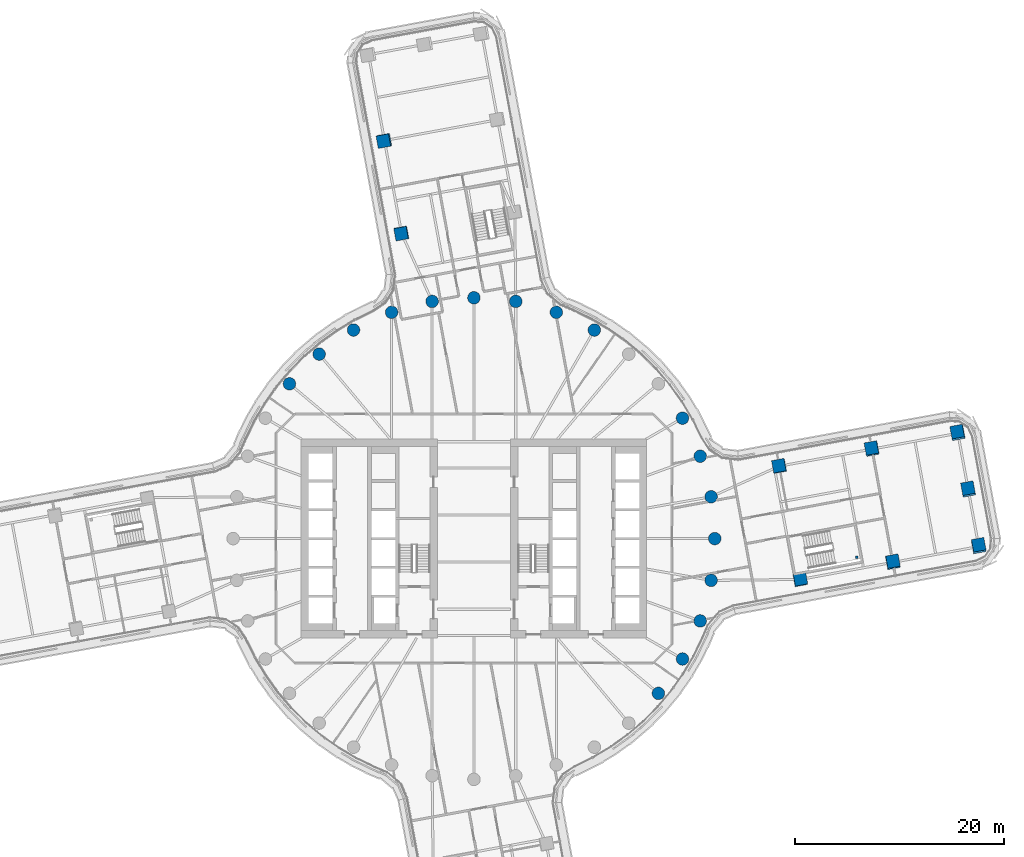
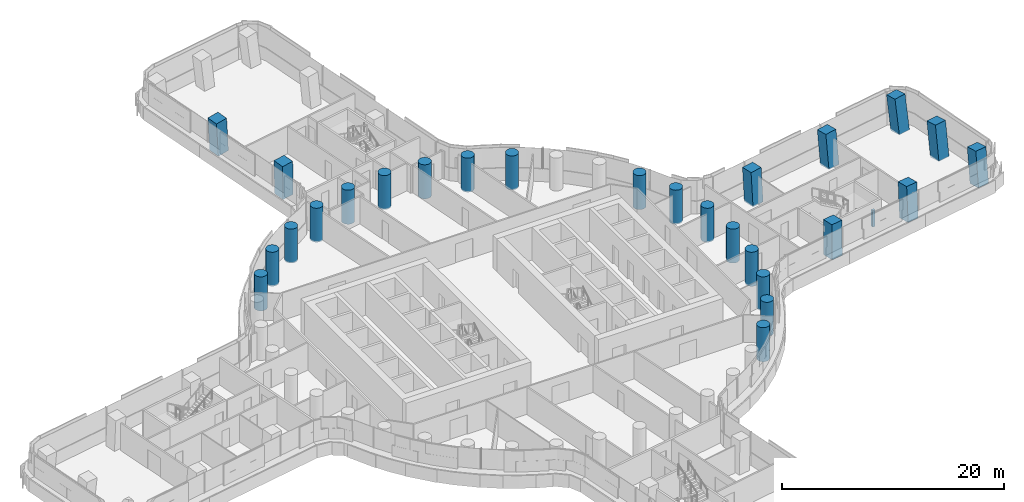
# One storey, part 2 of 33: 27 columns.
"""IFC4 building model written with IfcOpenShell, lengths in metres."""

from ifc_helpers import new_model, si_unit, direction, frame, origin, origin_2d, place, context, subcontext, project, spatial, rectangle, circle, extrude, material, material_profile, profile_set, type_object, element, save


model = new_model("IFC4")

# Units and contexts
model_context = context("Model", 3, precision=1e-05, world=origin(), true_north=direction((0.0, 1.0)))
body_context = subcontext(model_context, "Body", "Model", "MODEL_VIEW")
ifc_project = project(units=[si_unit("LENGTHUNIT", "METRE"), si_unit("AREAUNIT", "SQUARE_METRE"), si_unit("VOLUMEUNIT", "CUBIC_METRE"), si_unit("PLANEANGLEUNIT", "RADIAN"), si_unit("MASSUNIT", "GRAM", prefix="KILO")], contexts=[model_context])

# Site, building, storey
site_placement = place(None, origin())
site = spatial("IfcSite", under=ifc_project, at=site_placement, CompositionType="ELEMENT")
building_placement = place(site_placement, origin())
building = spatial("IfcBuilding", under=site, at=building_placement, Name="Tamarind Cross Interchange Tower", CompositionType="ELEMENT")
storey_placement = place(building_placement, frame((0.0, 0.0, 71.5)))
storey = spatial("IfcBuildingStorey", under=building, at=storey_placement, Name="L16", CompositionType="ELEMENT", Elevation=71.5)

# Columns
ifc_material_1 = material(Name="Concrete C70", Category="concrete")
ifc_material_profile_1 = material_profile(ifc_material_1, rectangle(XDim=1.199951171875, YDim=1.199951171875, at=origin_2d()), Name="RC 1200x1200")
ifc_profile_set_1 = profile_set([ifc_material_profile_1], Name="Concrete C70")
column_type_1 = type_object("IfcColumnType", Name="Column RC 1200x1200 Concrete C70", PredefinedType="COLUMN", material=ifc_profile_set_1)
column_1_placement = place(storey_placement, frame((38.015625, 8.546142578125, -0.138427734375), z_axis=(-0.042059833465, 0.077174601835, 0.996130037315), x_axis=(0.179297504528, -0.98024372476, 0.083514339719)))
element("IfcColumn", 1, at=column_1_placement, inside=storey, type_object=column_type_1, Name="Column L16-036", PredefinedType="COLUMN", context=body_context, shape_type="SweptSolid", body=[
    extrude(rectangle(XDim=1.199951171875, YDim=1.199951171875, at=origin_2d()), origin(), (0.0, 0.0, 1.0), 3.761474609375),
])
column_2_placement = place(storey_placement, frame((40.010498046875, -2.271484375, -0.138427734375), z_axis=(0.010255926868, 0.087370111162, 0.996123124739), x_axis=(-0.98337843556, -0.179712819987, 0.025887348398)))
element("IfcColumn", 2, at=column_2_placement, inside=storey, type_object=column_type_1, Name="Column L16-037", PredefinedType="COLUMN", context=body_context, shape_type="SweptSolid", body=[
    extrude(rectangle(XDim=1.199951171875, YDim=1.199951171875, at=origin_2d()), origin(), (0.0, 0.0, 1.0), 3.76123046875),
])
for number, where, z_axis, x_axis, name in (
    (3, (29.1650390625, 6.9140625, -0.138671875), (-0.033903859141, 0.034489530412, 0.998829815648), (0.180809351928, -0.982701571274, 0.040069939744), "Column L16-038"),
    (4, (31.159912109375, -3.903564453125, -0.138671875), (0.01854627734, 0.04464121493, 0.998830915384), (-0.983177023268, -0.180746979451, 0.026333824975), "Column L16-039"),
):
    element("IfcColumn", number, at=place(storey_placement, frame(where, z_axis=z_axis, x_axis=x_axis)), inside=storey, type_object=column_type_1, Name=name, PredefinedType="COLUMN", context=body_context, shape_type="SweptSolid", body=[
        extrude(rectangle(XDim=1.199951171875, YDim=1.199951171875, at=origin_2d()), origin(), (0.0, 0.0, 1.0), 3.751708984375),
    ])
column_3_placement = place(storey_placement, frame((48.21435546875, -0.758544921875, -0.138671875), z_axis=(-0.001163559702, 0.125729090029, 0.992063930424), x_axis=(-0.983395866032, -0.18017355573, 0.021680878368)))
element("IfcColumn", 5, at=column_3_placement, inside=storey, type_object=column_type_1, Name="Column L16-040", PredefinedType="COLUMN", context=body_context, shape_type="SweptSolid", body=[
    extrude(rectangle(XDim=1.199951171875, YDim=1.199951171875, at=origin_2d()), origin(), (0.0, 0.0, 1.0), 3.77685546875),
])
column_4_placement = place(storey_placement, frame((47.217041015625, 4.650146484375, -0.138671875), z_axis=(-0.027219471655, 0.120709628458, 0.992314610373), x_axis=(0.179893711362, -0.975884236543, 0.123645499225)))
element("IfcColumn", 6, at=column_4_placement, inside=storey, type_object=column_type_1, Name="Column L16-041", PredefinedType="COLUMN", context=body_context, shape_type="SweptSolid", body=[
    extrude(rectangle(XDim=1.199951171875, YDim=1.199951171875, at=origin_2d()), origin(), (0.0, 0.0, 1.0), 3.776123046875),
])
column_5_placement = place(storey_placement, frame((46.219482421875, 10.05908203125, -0.138427734375), z_axis=(-0.053190034376, 0.115622079585, 0.99186811369), x_axis=(0.177830515493, -0.976300483641, 0.123343720563)))
element("IfcColumn", 7, at=column_5_placement, inside=storey, type_object=column_type_1, Name="Column L16-042", PredefinedType="COLUMN", context=body_context, shape_type="SweptSolid", body=[
    extrude(rectangle(XDim=1.199951171875, YDim=1.199951171875, at=origin_2d()), origin(), (0.0, 0.0, 1.0), 3.777587890625),
])
column_6_placement = place(storey_placement, frame((-8.546142578125, 38.015625, -0.138427734375), z_axis=(-0.077174601835, -0.042059833465, 0.996130037315), x_axis=(0.98024372476, 0.179297504528, 0.083514339719)))
element("IfcColumn", 8, at=column_6_placement, inside=storey, type_object=column_type_1, Name="Column L16-043", PredefinedType="COLUMN", context=body_context, shape_type="SweptSolid", body=[
    extrude(rectangle(XDim=1.199951171875, YDim=1.199951171875, at=origin_2d()), origin(), (0.0, 0.0, 1.0), 3.761474609375),
])
column_7_placement = place(storey_placement, frame((-6.9140625, 29.1650390625, -0.138671875), z_axis=(-0.034489530412, -0.033903859141, 0.998829815648), x_axis=(0.982701571274, 0.180809351928, 0.040069939744)))
element("IfcColumn", 9, at=column_7_placement, inside=storey, type_object=column_type_1, Name="Column L16-045", PredefinedType="COLUMN", context=body_context, shape_type="SweptSolid", body=[
    extrude(rectangle(XDim=1.199951171875, YDim=1.199951171875, at=origin_2d()), origin(), (0.0, 0.0, 1.0), 3.751708984375),
])
ifc_material_2 = material(Name="Concrete C40", Category="concrete")
ifc_material_profile_2 = material_profile(ifc_material_2, rectangle(XDim=0.25, YDim=0.25, at=origin_2d()), Name="RC 250x250")
ifc_profile_set_2 = profile_set([ifc_material_profile_2], Name="Concrete C40")
column_type_2 = type_object("IfcColumnType", Name="Column RC 250x250 Concrete C40", PredefinedType="COLUMN", material=ifc_profile_set_2)
column_8_placement = place(storey_placement, frame((36.565673828125, -1.788330078125, -0.139892578125), z_axis=(0.0, 0.0, 1.0), x_axis=(1.0, 0.0, 0.0)))
element("IfcColumn", 10, at=column_8_placement, inside=storey, type_object=column_type_2, Name="Column ST3 landing L16", PredefinedType="COLUMN", context=body_context, shape_type="SweptSolid", body=[
    extrude(rectangle(XDim=0.25, YDim=0.25, at=origin_2d()), origin(), (0.0, 0.0, 1.0), 1.81494140625),
])
ifc_material_profile_3 = material_profile(ifc_material_1, circle(Radius=0.60009765625, at=origin_2d()), Name="RC D1200")
ifc_profile_set_3 = profile_set([ifc_material_profile_3], Name="Concrete C70")
column_type_3 = type_object("IfcColumnType", Name="Column RC D1200 Concrete C70", PredefinedType="COLUMN", material=ifc_profile_set_3)
for number, where, z_axis, x_axis, name in (
    (11, (23.0, 0.0, -0.139892578125), (0.0, 0.0, 1.0), (1.0, 0.0, 0.0), "Column L16-000"),
    (12, (22.650634765625, 3.993896484375, -0.139892578125), (0.0, 0.0, 1.0), (1.0, 0.0, 0.0), "Column L16-001"),
    (13, (21.613037109375, 7.866455078125, -0.139892578125), (0.0, 0.0, 1.0), (1.0, 0.0, 0.0), "Column L16-002"),
    (14, (19.918701171875, 11.5, -0.139892578125), (0.0, 0.0, 1.0), (1.0, 0.0, 0.0), "Column L16-003"),
    (15, (11.5, 19.918701171875, -0.139892578125), (0.0, 0.0, 1.0), (1.0, 0.0, 0.0), "Column L16-006"),
    (16, (7.866455078125, 21.613037109375, -0.139892578125), (0.0, 0.0, 1.0), (1.0, 0.0, 0.0), "Column L16-007"),
    (17, (3.993896484375, 22.650634765625, -0.139892578125), (0.0, 0.0, 1.0), (1.0, 0.0, 0.0), "Column L16-008"),
    (18, (0.0, 23.0, -0.139892578125), (0.0, 0.0, 1.0), (1.0, 0.0, 0.0), "Column L16-009"),
    (19, (-3.993896484375, 22.650634765625, -0.139892578125), (0.0, 0.0, 1.0), (1.0, 0.0, 0.0), "Column L16-010"),
    (20, (-7.866455078125, 21.613037109375, -0.139892578125), (0.0, 0.0, 1.0), (1.0, 0.0, 0.0), "Column L16-011"),
    (21, (-11.5, 19.918701171875, -0.139892578125), (0.0, 0.0, 1.0), (1.0, 0.0, 0.0), "Column L16-012"),
    (22, (-14.7841796875, 17.619140625, -0.139892578125), (0.0, 0.0, 1.0), (1.0, 0.0, 0.0), "Column L16-013"),
    (23, (-17.619140625, 14.7841796875, -0.139892578125), (0.0, 0.0, 1.0), (1.0, 0.0, 0.0), "Column L16-014"),
    (24, (17.619140625, -14.7841796875, -0.139892578125), (0.0, 0.0, 1.0), (1.0, 0.0, 0.0), "Column L16-032"),
    (25, (19.918701171875, -11.5, -0.139892578125), (0.0, 0.0, 1.0), (1.0, 0.0, 0.0), "Column L16-033"),
    (26, (21.613037109375, -7.866455078125, -0.139892578125), (0.0, 0.0, 1.0), (1.0, 0.0, 0.0), "Column L16-034"),
    (27, (22.650634765625, -3.993896484375, -0.139892578125), (0.0, 0.0, 1.0), (1.0, 0.0, 0.0), "Column L16-035"),
):
    element("IfcColumn", number, at=place(storey_placement, frame(where, z_axis=z_axis, x_axis=x_axis)), inside=storey, type_object=column_type_3, Name=name, PredefinedType="COLUMN", context=body_context, shape_type="SweptSolid", body=[
        extrude(circle(Radius=0.60009765625, at=origin_2d()), origin(), (0.0, 0.0, 1.0), 3.75),
    ])

save(model, "model.ifc")
